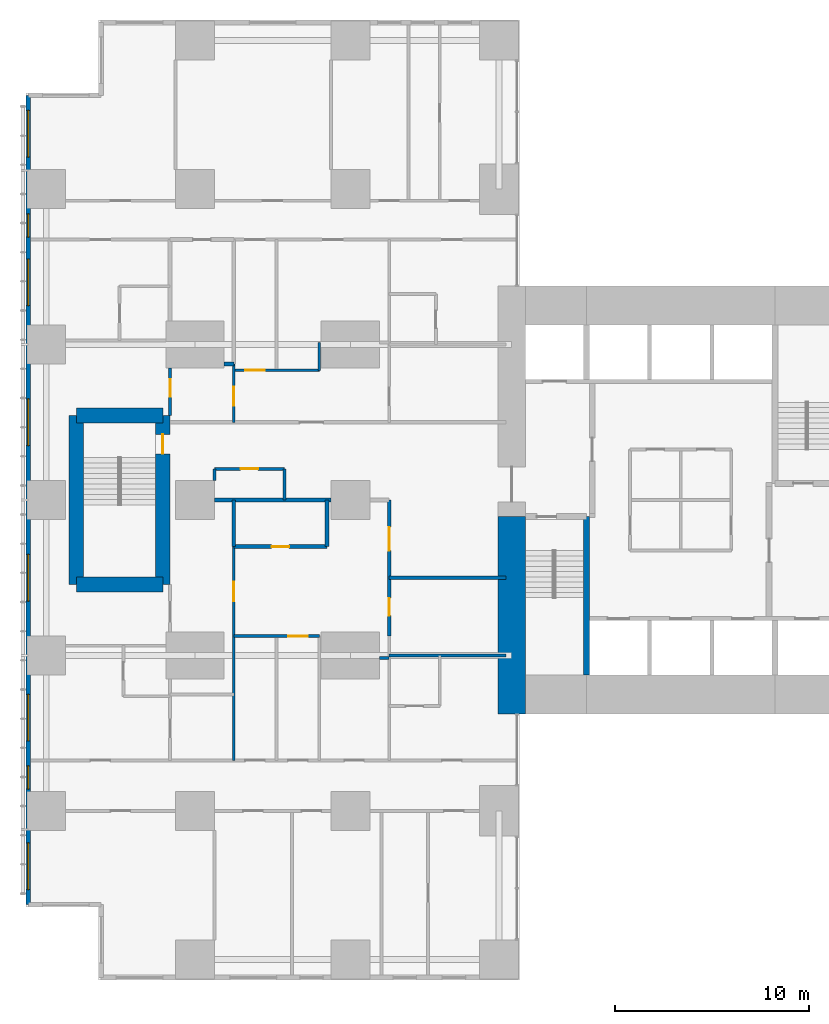
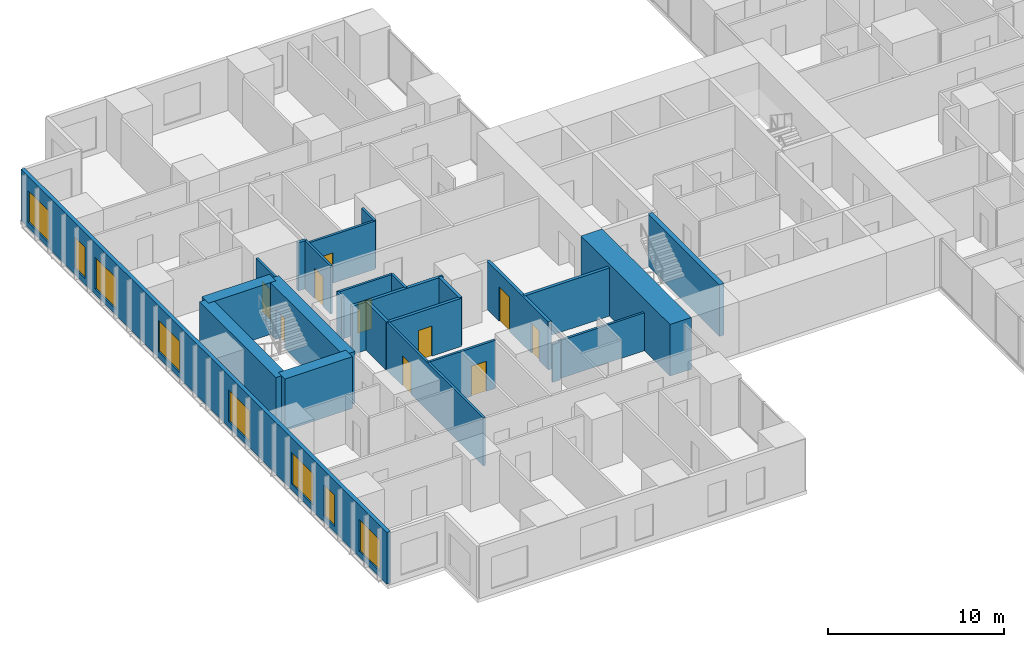
# One storey, part 13 of 20: 25 walls, 10 doors, 8 windows, 18 openings.
"""IFC4 building model written with IfcOpenShell, lengths in metres."""

from ifc_helpers import new_model, si_unit, direction, frame, frame_2d, origin, place, context, subcontext, project, spatial, rectangle, extrude, material, layer, layer_set, type_object, element, fill, save


model = new_model("IFC4")

# Units and contexts
model_context = context("Model", 3, precision=1e-05, world=origin(), true_north=direction((0.0, 1.0)))
body_context = subcontext(model_context, "Body", "Model", "MODEL_VIEW")
ifc_project = project(units=[si_unit("LENGTHUNIT", "METRE"), si_unit("AREAUNIT", "SQUARE_METRE"), si_unit("VOLUMEUNIT", "CUBIC_METRE"), si_unit("PLANEANGLEUNIT", "RADIAN"), si_unit("MASSUNIT", "GRAM", prefix="KILO")], contexts=[model_context])

# Site, building, storey
site_placement = place(None, origin())
site = spatial("IfcSite", under=ifc_project, at=site_placement, CompositionType="ELEMENT")
building_placement = place(site_placement, origin())
building = spatial("IfcBuilding", under=site, at=building_placement, Name="Cleftline Residences", CompositionType="ELEMENT")
storey_placement = place(building_placement, frame((0.0, 0.0, 139.39990234375)))
storey = spatial("IfcBuildingStorey", under=building, at=storey_placement, Name="L36", CompositionType="ELEMENT", Elevation=139.39990234375)

# Walls
ifc_material_1 = material(Name="Concrete B70", Category="concrete")
ifc_layer_1 = layer(ifc_material_1, 1.39990234375)
ifc_layer_set_1 = layer_set([ifc_layer_1], Name="CORE WALL 1400")
wall_type_1 = type_object("IfcWallType", Name="CORE WALL 1400", PredefinedType="SHEAR", material=ifc_layer_set_1)
wall_1_placement = place(storey_placement, frame((24.300048828125, 13.0, 0.0), z_axis=(0.0, 0.0, 1.0), x_axis=(0.0, 1.0, 0.0)))
element("IfcWall", 1, at=wall_1_placement, inside=storey, type_object=wall_type_1, Name="Core wall W0", PredefinedType="SHEAR", context=body_context, shape_type="SweptSolid", body=[
    extrude(rectangle(XDim=10.14990234375, YDim=1.39990234375, at=frame_2d((5.074951171875, 0.0))), origin(), (0.0, 0.0, 1.0), 3.60009765625),
])
ifc_material_2 = material(Name="Concrete B70", Category="concrete")
ifc_layer_2 = layer(ifc_material_2, 0.300048828125)
ifc_layer_set_2 = layer_set([ifc_layer_2], Name="CORE WALL 300")
wall_type_2 = type_object("IfcWallType", Name="CORE WALL 300", PredefinedType="SHEAR", material=ifc_layer_set_2)
wall_2_placement = place(storey_placement, frame((28.14990234375, 15.0, 0.0), z_axis=(0.0, 0.0, 1.0), x_axis=(0.0, 1.0, 0.0)))
element("IfcWall", 2, at=wall_2_placement, inside=storey, type_object=wall_type_2, Name="Core wall SA-E", PredefinedType="SHEAR", context=body_context, shape_type="SweptSolid", body=[
    extrude(rectangle(XDim=8.14990234375, YDim=0.300048828125, at=frame_2d((4.074951171875, 0.0))), origin(), (0.0, 0.0, 1.0), 3.60009765625),
])

# Wall, openings, windows
ifc_material_3 = material(Name="Rendered reinforced concrete blockwork", Category="masonry")
ifc_layer_3 = layer(ifc_material_3, 0.25)
ifc_layer_set_3 = layer_set([ifc_layer_3], Name="EXTERNAL WALL 250")
wall_type_3 = type_object("IfcWallType", Name="EXTERNAL WALL 250", PredefinedType="SOLIDWALL", material=ifc_layer_set_3)
wall_3_placement = place(storey_placement, frame((-0.574951171875, 44.824951171875, 0.0), z_axis=(0.0, 0.0, 1.0), x_axis=(0.0, -1.0, 0.0)))
wall_3 = element("IfcWall", 3, at=wall_3_placement, inside=storey, type_object=wall_type_3, Name="External wall", PredefinedType="SOLIDWALL", context=body_context, shape_type="SweptSolid", body=[
    extrude(rectangle(XDim=41.64990234375, YDim=0.25, at=frame_2d((20.824951171875, 0.0))), origin(), (0.0, 0.0, 1.0), 3.60009765625),
])
opening_1_placement = place(wall_3_placement, frame((0.77490234375, 0.0, 0.39990234375)))
opening_1 = element("IfcOpeningElement", 4, at=opening_1_placement, cuts=wall_3, Name="Opening W12", PredefinedType="OPENING", context=body_context, shape_type="SweptSolid", body=[
    extrude(rectangle(XDim=2.39990234375, YDim=2.199951171875, at=frame_2d((1.199951171875, 1.10009765625))), frame((0.0, 0.135009765625, 0.0), z_axis=(0.0, -1.0, 0.0), x_axis=(1.0, 0.0, 0.0)), (0.0, 0.0, 1.0), 0.27001953125),
])
opening_2_placement = place(wall_3_placement, frame((6.10009765625, 0.0, 0.39990234375)))
opening_2 = element("IfcOpeningElement", 5, at=opening_2_placement, cuts=wall_3, Name="Opening W11", PredefinedType="OPENING", context=body_context, shape_type="SweptSolid", body=[
    extrude(rectangle(XDim=1.199951171875, YDim=2.199951171875, at=frame_2d((0.60009765625, 1.10009765625))), frame((0.0, 0.135009765625, 0.0), z_axis=(0.0, -1.0, 0.0), x_axis=(1.0, 0.0, 0.0)), (0.0, 0.0, 1.0), 0.27001953125),
])
opening_3_placement = place(wall_3_placement, frame((8.425048828125, 0.0, 0.39990234375)))
opening_3 = element("IfcOpeningElement", 6, at=opening_3_placement, cuts=wall_3, Name="Opening W12", PredefinedType="OPENING", context=body_context, shape_type="SweptSolid", body=[
    extrude(rectangle(XDim=2.39990234375, YDim=2.199951171875, at=frame_2d((1.199951171875, 1.10009765625))), frame((0.0, 0.135009765625, 0.0), z_axis=(0.0, -1.0, 0.0), x_axis=(1.0, 0.0, 0.0)), (0.0, 0.0, 1.0), 0.27001953125),
])
opening_4_placement = place(wall_3_placement, frame((15.625, 0.0, 0.39990234375)))
opening_4 = element("IfcOpeningElement", 7, at=opening_4_placement, cuts=wall_3, Name="Opening W12", PredefinedType="OPENING", context=body_context, shape_type="SweptSolid", body=[
    extrude(rectangle(XDim=2.39990234375, YDim=2.199951171875, at=frame_2d((1.199951171875, 1.10009765625))), frame((0.0, 0.135009765625, 0.0), z_axis=(0.0, -1.0, 0.0), x_axis=(1.0, 0.0, 0.0)), (0.0, 0.0, 1.0), 0.27001953125),
])
opening_5_placement = place(wall_3_placement, frame((23.625, 0.0, 0.39990234375)))
opening_5 = element("IfcOpeningElement", 8, at=opening_5_placement, cuts=wall_3, Name="Opening W12", PredefinedType="OPENING", context=body_context, shape_type="SweptSolid", body=[
    extrude(rectangle(XDim=2.39990234375, YDim=2.199951171875, at=frame_2d((1.199951171875, 1.10009765625))), frame((0.0, 0.135009765625, 0.0), z_axis=(0.0, -1.0, 0.0), x_axis=(1.0, 0.0, 0.0)), (0.0, 0.0, 1.0), 0.27001953125),
])
opening_6_placement = place(wall_3_placement, frame((30.824951171875, 0.0, 0.39990234375)))
opening_6 = element("IfcOpeningElement", 9, at=opening_6_placement, cuts=wall_3, Name="Opening W12", PredefinedType="OPENING", context=body_context, shape_type="SweptSolid", body=[
    extrude(rectangle(XDim=2.39990234375, YDim=2.199951171875, at=frame_2d((1.199951171875, 1.10009765625))), frame((0.0, 0.135009765625, 0.0), z_axis=(0.0, -1.0, 0.0), x_axis=(1.0, 0.0, 0.0)), (0.0, 0.0, 1.0), 0.27001953125),
])
opening_7_placement = place(wall_3_placement, frame((34.5, 0.0, 0.39990234375)))
opening_7 = element("IfcOpeningElement", 10, at=opening_7_placement, cuts=wall_3, Name="Opening W11", PredefinedType="OPENING", context=body_context, shape_type="SweptSolid", body=[
    extrude(rectangle(XDim=1.199951171875, YDim=2.199951171875, at=frame_2d((0.60009765625, 1.10009765625))), frame((0.0, 0.135009765625, 0.0), z_axis=(0.0, -1.0, 0.0), x_axis=(1.0, 0.0, 0.0)), (0.0, 0.0, 1.0), 0.27001953125),
])
opening_8_placement = place(wall_3_placement, frame((38.47509765625, 0.0, 0.39990234375)))
opening_8 = element("IfcOpeningElement", 11, at=opening_8_placement, cuts=wall_3, Name="Opening W12", PredefinedType="OPENING", context=body_context, shape_type="SweptSolid", body=[
    extrude(rectangle(XDim=2.39990234375, YDim=2.199951171875, at=frame_2d((1.199951171875, 1.10009765625))), frame((0.0, 0.135009765625, 0.0), z_axis=(0.0, -1.0, 0.0), x_axis=(1.0, 0.0, 0.0)), (0.0, 0.0, 1.0), 0.27001953125),
])
ifc_material_4 = material(Name="Aluminium frame, clear double glazing", Category="aluminium")
window_type_1 = type_object("IfcWindowType", Name="WINDOW 1200X2200", PartitioningType="DOUBLE_PANEL_VERTICAL", PredefinedType="WINDOW", material=ifc_material_4)
window_1_placement = place(opening_2_placement, origin())
window_1 = element("IfcWindow", 12, at=window_1_placement, inside=storey, type_object=window_type_1, Name="Window", OverallHeight=2.199951171875, OverallWidth=1.199951171875, PartitioningType="SINGLE_PANEL", PredefinedType="WINDOW", context=body_context, shape_type="SweptSolid", body=[
    extrude(rectangle(XDim=1.199951171875, YDim=2.199951171875, at=frame_2d((0.60009765625, 1.10009765625))), frame((0.0, 0.030029296875, 0.0), z_axis=(0.0, -1.0, 0.0), x_axis=(1.0, 0.0, 0.0)), (0.0, 0.0, 1.0), 0.06005859375),
])
fill(opening_2, window_1)
window_2_placement = place(opening_7_placement, origin())
window_2 = element("IfcWindow", 13, at=window_2_placement, inside=storey, type_object=window_type_1, Name="Window", OverallHeight=2.199951171875, OverallWidth=1.199951171875, PartitioningType="SINGLE_PANEL", PredefinedType="WINDOW", context=body_context, shape_type="SweptSolid", body=[
    extrude(rectangle(XDim=1.199951171875, YDim=2.199951171875, at=frame_2d((0.60009765625, 1.10009765625))), frame((0.0, 0.030029296875, 0.0), z_axis=(0.0, -1.0, 0.0), x_axis=(1.0, 0.0, 0.0)), (0.0, 0.0, 1.0), 0.06005859375),
])
fill(opening_7, window_2)
ifc_material_5 = material(Name="Aluminium frame, clear double glazing", Category="aluminium")
window_type_2 = type_object("IfcWindowType", Name="WINDOW 2400X2200", PartitioningType="DOUBLE_PANEL_VERTICAL", PredefinedType="WINDOW", material=ifc_material_5)
window_3_placement = place(opening_1_placement, origin())
window_3 = element("IfcWindow", 14, at=window_3_placement, inside=storey, type_object=window_type_2, Name="Window", OverallHeight=2.199951171875, OverallWidth=2.39990234375, PartitioningType="SINGLE_PANEL", PredefinedType="WINDOW", context=body_context, shape_type="SweptSolid", body=[
    extrude(rectangle(XDim=2.39990234375, YDim=2.199951171875, at=frame_2d((1.199951171875, 1.10009765625))), frame((0.0, 0.030029296875, 0.0), z_axis=(0.0, -1.0, 0.0), x_axis=(1.0, 0.0, 0.0)), (0.0, 0.0, 1.0), 0.06005859375),
])
fill(opening_1, window_3)
window_4_placement = place(opening_3_placement, origin())
window_4 = element("IfcWindow", 15, at=window_4_placement, inside=storey, type_object=window_type_2, Name="Window", OverallHeight=2.199951171875, OverallWidth=2.39990234375, PartitioningType="SINGLE_PANEL", PredefinedType="WINDOW", context=body_context, shape_type="SweptSolid", body=[
    extrude(rectangle(XDim=2.39990234375, YDim=2.199951171875, at=frame_2d((1.199951171875, 1.10009765625))), frame((0.0, 0.030029296875, 0.0), z_axis=(0.0, -1.0, 0.0), x_axis=(1.0, 0.0, 0.0)), (0.0, 0.0, 1.0), 0.06005859375),
])
fill(opening_3, window_4)
window_5_placement = place(opening_4_placement, origin())
window_5 = element("IfcWindow", 16, at=window_5_placement, inside=storey, type_object=window_type_2, Name="Window", OverallHeight=2.199951171875, OverallWidth=2.39990234375, PartitioningType="SINGLE_PANEL", PredefinedType="WINDOW", context=body_context, shape_type="SweptSolid", body=[
    extrude(rectangle(XDim=2.39990234375, YDim=2.199951171875, at=frame_2d((1.199951171875, 1.10009765625))), frame((0.0, 0.030029296875, 0.0), z_axis=(0.0, -1.0, 0.0), x_axis=(1.0, 0.0, 0.0)), (0.0, 0.0, 1.0), 0.06005859375),
])
fill(opening_4, window_5)
window_6_placement = place(opening_5_placement, origin())
window_6 = element("IfcWindow", 17, at=window_6_placement, inside=storey, type_object=window_type_2, Name="Window", OverallHeight=2.199951171875, OverallWidth=2.39990234375, PartitioningType="SINGLE_PANEL", PredefinedType="WINDOW", context=body_context, shape_type="SweptSolid", body=[
    extrude(rectangle(XDim=2.39990234375, YDim=2.199951171875, at=frame_2d((1.199951171875, 1.10009765625))), frame((0.0, 0.030029296875, 0.0), z_axis=(0.0, -1.0, 0.0), x_axis=(1.0, 0.0, 0.0)), (0.0, 0.0, 1.0), 0.06005859375),
])
fill(opening_5, window_6)
window_7_placement = place(opening_6_placement, origin())
window_7 = element("IfcWindow", 18, at=window_7_placement, inside=storey, type_object=window_type_2, Name="Window", OverallHeight=2.199951171875, OverallWidth=2.39990234375, PartitioningType="SINGLE_PANEL", PredefinedType="WINDOW", context=body_context, shape_type="SweptSolid", body=[
    extrude(rectangle(XDim=2.39990234375, YDim=2.199951171875, at=frame_2d((1.199951171875, 1.10009765625))), frame((0.0, 0.030029296875, 0.0), z_axis=(0.0, -1.0, 0.0), x_axis=(1.0, 0.0, 0.0)), (0.0, 0.0, 1.0), 0.06005859375),
])
fill(opening_6, window_7)
window_8_placement = place(opening_8_placement, origin())
window_8 = element("IfcWindow", 19, at=window_8_placement, inside=storey, type_object=window_type_2, Name="Window", OverallHeight=2.199951171875, OverallWidth=2.39990234375, PartitioningType="SINGLE_PANEL", PredefinedType="WINDOW", context=body_context, shape_type="SweptSolid", body=[
    extrude(rectangle(XDim=2.39990234375, YDim=2.199951171875, at=frame_2d((1.199951171875, 1.10009765625))), frame((0.0, 0.030029296875, 0.0), z_axis=(0.0, -1.0, 0.0), x_axis=(1.0, 0.0, 0.0)), (0.0, 0.0, 1.0), 0.06005859375),
])
fill(opening_8, window_8)

# Wall
ifc_material_6 = material(Name="Concrete blockwork, fire rated", Category="masonry")
ifc_layer_4 = layer(ifc_material_6, 0.199951171875)
ifc_layer_set_4 = layer_set([ifc_layer_4], Name="FIRE WALL 200")
wall_type_4 = type_object("IfcWallType", Name="FIRE WALL 200", PredefinedType="PARTITIONING", material=ifc_layer_set_4)
wall_4_placement = place(storey_placement, frame((18.0, 20.0, 0.0), z_axis=(0.0, 0.0, 1.0), x_axis=(1.0, 0.0, 0.0)))
element("IfcWall", 20, at=wall_4_placement, inside=storey, type_object=wall_type_4, Name="Fire separating wall", PredefinedType="PARTITIONING", context=body_context, shape_type="SweptSolid", body=[
    extrude(rectangle(XDim=6.0, YDim=0.199951171875, at=frame_2d((3.0, 0.0))), origin(), (0.0, 0.0, 1.0), 3.35009765625),
])

# Wall, opening, door
wall_5_placement = place(storey_placement, frame((10.0, 21.60009765625, 0.0), z_axis=(0.0, 0.0, 1.0), x_axis=(1.0, 0.0, 0.0)))
wall_5 = element("IfcWall", 21, at=wall_5_placement, inside=storey, type_object=wall_type_4, Name="Fire separating wall", PredefinedType="PARTITIONING", context=body_context, shape_type="SweptSolid", body=[
    extrude(rectangle(XDim=4.800048828125, YDim=0.199951171875, at=frame_2d((2.39990234375, 0.0))), origin(), (0.0, 0.0, 1.0), 3.35009765625),
])
opening_9_placement = place(wall_5_placement, frame((1.949951171875, 0.0, 0.0)))
opening_9 = element("IfcOpeningElement", 22, at=opening_9_placement, cuts=wall_5, Name="Opening D1F30", PredefinedType="OPENING", context=body_context, shape_type="SweptSolid", body=[
    extrude(rectangle(XDim=0.89990234375, YDim=2.10009765625, at=frame_2d((0.449951171875, 1.050048828125))), frame((0.0, 0.10986328125, 0.0), z_axis=(0.0, -1.0, 0.0), x_axis=(1.0, 0.0, 0.0)), (0.0, 0.0, 1.0), 0.219970703125),
])
ifc_material_7 = material(Name="Timber veneer on solid core", Category="wood")
door_type_1 = type_object("IfcDoorType", Name="DOOR 900X2100 EI 30", OperationType="SINGLE_SWING_LEFT", PredefinedType="DOOR", material=ifc_material_7)
door_1_placement = place(opening_9_placement, origin())
door_1 = element("IfcDoor", 23, at=door_1_placement, inside=storey, type_object=door_type_1, Name="Door to cloakroom wc", OperationType="SINGLE_SWING_LEFT", OverallHeight=2.10009765625, OverallWidth=0.89990234375, PredefinedType="DOOR", context=body_context, shape_type="SweptSolid", body=[
    extrude(rectangle(XDim=0.89990234375, YDim=2.10009765625, at=frame_2d((0.449951171875, 1.050048828125))), frame((0.0, 0.02490234375, 0.0), z_axis=(0.0, -1.0, 0.0), x_axis=(1.0, 0.0, 0.0)), (0.0, 0.0, 1.0), 0.050048828125),
])
fill(opening_9, door_1)

# Walls
wall_6_placement = place(storey_placement, frame((9.0, 24.0, 0.0), z_axis=(0.0, 0.0, 1.0), x_axis=(1.0, 0.0, 0.0)))
element("IfcWall", 24, at=wall_6_placement, inside=storey, type_object=wall_type_4, Name="Fire separating wall", PredefinedType="PARTITIONING", context=body_context, shape_type="SweptSolid", body=[
    extrude(rectangle(XDim=6.0, YDim=0.199951171875, at=frame_2d((3.0, 0.0))), origin(), (0.0, 0.0, 1.0), 3.35009765625),
])
wall_7_placement = place(storey_placement, frame((9.5, 31.0, 0.0), z_axis=(0.0, 0.0, 1.0), x_axis=(1.0, 0.0, 0.0)))
element("IfcWall", 25, at=wall_7_placement, inside=storey, type_object=wall_type_4, Name="Fire separating wall", PredefinedType="PARTITIONING", context=body_context, shape_type="SweptSolid", body=[
    extrude(rectangle(XDim=0.5, YDim=0.199951171875, at=frame_2d((0.25, 0.0))), origin(), (0.0, 0.0, 1.0), 3.35009765625),
])
for number, where, z_axis, x_axis, name in (
    (26, (10.0, 21.60009765625, 0.0), (0.0, 0.0, 1.0), (0.0, 1.0, 0.0), "Fire separating wall"),
    (27, (14.800048828125, 21.60009765625, 0.0), (0.0, 0.0, 1.0), (0.0, 1.0, 0.0), "Fire separating wall"),
):
    element("IfcWall", number, at=place(storey_placement, frame(where, z_axis=z_axis, x_axis=x_axis)), inside=storey, type_object=wall_type_4, Name=name, PredefinedType="PARTITIONING", context=body_context, shape_type="SweptSolid", body=[
        extrude(rectangle(XDim=2.39990234375, YDim=0.199951171875, at=frame_2d((1.199951171875, 0.0))), origin(), (0.0, 0.0, 1.0), 3.35009765625),
    ])

# Wall, openings, doors
wall_8_placement = place(storey_placement, frame((18.0, 17.0, 0.0), z_axis=(0.0, 0.0, 1.0), x_axis=(0.0, 1.0, 0.0)))
wall_8 = element("IfcWall", 28, at=wall_8_placement, inside=storey, type_object=wall_type_4, Name="Fire separating wall", PredefinedType="PARTITIONING", context=body_context, shape_type="SweptSolid", body=[
    extrude(rectangle(XDim=7.0, YDim=0.199951171875, at=frame_2d((3.5, 0.0))), origin(), (0.0, 0.0, 1.0), 3.35009765625),
])
opening_10_placement = place(wall_8_placement, frame((4.39990234375, 0.0, 0.0)))
opening_10 = element("IfcOpeningElement", 29, at=opening_10_placement, cuts=wall_8, Name="Opening D4", PredefinedType="OPENING", context=body_context, shape_type="SweptSolid", body=[
    extrude(rectangle(XDim=1.199951171875, YDim=2.39990234375, at=frame_2d((0.60009765625, 1.199951171875))), frame((0.0, 0.10986328125, 0.0), z_axis=(0.0, -1.0, 0.0), x_axis=(1.0, 0.0, 0.0)), (0.0, 0.0, 1.0), 0.219970703125),
])
opening_11_placement = place(wall_8_placement, frame((1.050048828125, 0.0, 0.0)))
opening_11 = element("IfcOpeningElement", 30, at=opening_11_placement, cuts=wall_8, Name="Opening D1F30", PredefinedType="OPENING", context=body_context, shape_type="SweptSolid", body=[
    extrude(rectangle(XDim=0.89990234375, YDim=2.10009765625, at=frame_2d((0.449951171875, 1.050048828125))), frame((0.0, 0.10986328125, 0.0), z_axis=(0.0, -1.0, 0.0), x_axis=(1.0, 0.0, 0.0)), (0.0, 0.0, 1.0), 0.219970703125),
])
ifc_material_8 = material(Name="Timber veneer on solid core", Category="wood")
door_type_2 = type_object("IfcDoorType", Name="APARTMENT ENTRANCE DOOR 1200X2400", OperationType="SINGLE_SWING_RIGHT", PredefinedType="DOOR", material=ifc_material_8)
door_2_placement = place(opening_10_placement, origin())
door_2 = element("IfcDoor", 31, at=door_2_placement, inside=storey, type_object=door_type_2, Name="Door to residence entrance foyer", OperationType="SINGLE_SWING_LEFT", OverallHeight=2.39990234375, OverallWidth=1.199951171875, PredefinedType="DOOR", context=body_context, shape_type="SweptSolid", body=[
    extrude(rectangle(XDim=1.199951171875, YDim=2.39990234375, at=frame_2d((0.60009765625, 1.199951171875))), frame((0.0, 0.02490234375, 0.0), z_axis=(0.0, -1.0, 0.0), x_axis=(1.0, 0.0, 0.0)), (0.0, 0.0, 1.0), 0.050048828125),
])
fill(opening_10, door_2)
door_3_placement = place(opening_11_placement, origin())
door_3 = element("IfcDoor", 32, at=door_3_placement, inside=storey, type_object=door_type_1, Name="Door to utility room", OperationType="SINGLE_SWING_RIGHT", OverallHeight=2.10009765625, OverallWidth=0.89990234375, PredefinedType="DOOR", context=body_context, shape_type="SweptSolid", body=[
    extrude(rectangle(XDim=0.89990234375, YDim=2.10009765625, at=frame_2d((0.449951171875, 1.050048828125))), frame((0.0, 0.02490234375, 0.0), z_axis=(0.0, -1.0, 0.0), x_axis=(1.0, 0.0, 0.0)), (0.0, 0.0, 1.0), 0.050048828125),
])
fill(opening_11, door_3)

# Walls
ifc_material_9 = material(Name="Gypsum board on steel studs", Category="steel")
ifc_layer_5 = layer(ifc_material_9, 0.14990234375)
ifc_layer_set_5 = layer_set([ifc_layer_5], Name="PARTITION 150")
wall_type_5 = type_object("IfcWallType", Name="PARTITION 150", PredefinedType="PARTITIONING", material=ifc_layer_set_5)
wall_9_placement = place(storey_placement, frame((17.5, 15.875, 0.0), z_axis=(0.0, 0.0, 1.0), x_axis=(1.0, 0.0, 0.0)))
element("IfcWall", 33, at=wall_9_placement, inside=storey, type_object=wall_type_5, Name="Partition", PredefinedType="PARTITIONING", context=body_context, shape_type="SweptSolid", body=[
    extrude(rectangle(XDim=0.5, YDim=0.14990234375, at=frame_2d((0.25, 0.0))), origin(), (0.0, 0.0, 1.0), 2.634033203125),
])
wall_10_placement = place(storey_placement, frame((18.0, 16.0, 0.0), z_axis=(0.0, 0.0, 1.0), x_axis=(1.0, 0.0, 0.0)))
element("IfcWall", 34, at=wall_10_placement, inside=storey, type_object=wall_type_5, Name="Partition", PredefinedType="PARTITIONING", context=body_context, shape_type="SweptSolid", body=[
    extrude(rectangle(XDim=6.0, YDim=0.14990234375, at=frame_2d((3.0, 0.0))), origin(), (0.0, 0.0, 1.0), 2.634033203125),
])

# Wall, opening, door
wall_11_placement = place(storey_placement, frame((10.0, 17.0, 0.0), z_axis=(0.0, 0.0, 1.0), x_axis=(1.0, 0.0, 0.0)))
wall_11 = element("IfcWall", 35, at=wall_11_placement, inside=storey, type_object=wall_type_5, Name="Partition", PredefinedType="PARTITIONING", context=body_context, shape_type="SweptSolid", body=[
    extrude(rectangle(XDim=4.39990234375, YDim=0.14990234375, at=frame_2d((2.199951171875, 0.0))), origin(), (0.0, 0.0, 1.0), 3.35009765625),
])
opening_12_placement = place(wall_11_placement, frame((2.800048828125, 0.0, 0.0)))
opening_12 = element("IfcOpeningElement", 36, at=opening_12_placement, cuts=wall_11, Name="Opening D2", PredefinedType="OPENING", context=body_context, shape_type="SweptSolid", body=[
    extrude(rectangle(XDim=1.0, YDim=2.10009765625, at=frame_2d((0.5, 1.050048828125))), frame((0.0, 0.0849609375, 0.0), z_axis=(0.0, -1.0, 0.0), x_axis=(1.0, 0.0, 0.0)), (0.0, 0.0, 1.0), 0.169921875),
])
ifc_material_10 = material(Name="Timber veneer on solid core", Category="wood")
door_type_3 = type_object("IfcDoorType", Name="DOOR 1000X2100", OperationType="SINGLE_SWING_LEFT", PredefinedType="DOOR", material=ifc_material_10)
door_4_placement = place(opening_12_placement, origin())
door_4 = element("IfcDoor", 37, at=door_4_placement, inside=storey, type_object=door_type_3, Name="Door to residence passage", OperationType="SINGLE_SWING_LEFT", OverallHeight=2.10009765625, OverallWidth=1.0, PredefinedType="DOOR", context=body_context, shape_type="SweptSolid", body=[
    extrude(rectangle(XDim=1.0, YDim=2.10009765625, at=frame_2d((0.5, 1.050048828125))), frame((0.0, 0.02490234375, 0.0), z_axis=(0.0, -1.0, 0.0), x_axis=(1.0, 0.0, 0.0)), (0.0, 0.0, 1.0), 0.050048828125),
])
fill(opening_12, door_4)

wall_12_placement = place(storey_placement, frame((9.0, 25.60009765625, 0.0), z_axis=(0.0, 0.0, 1.0), x_axis=(1.0, 0.0, 0.0)))
wall_12 = element("IfcWall", 38, at=wall_12_placement, inside=storey, type_object=wall_type_5, Name="Partition", PredefinedType="PARTITIONING", context=body_context, shape_type="SweptSolid", body=[
    extrude(rectangle(XDim=3.60009765625, YDim=0.14990234375, at=frame_2d((1.800048828125, 0.0))), origin(), (0.0, 0.0, 1.0), 3.35009765625),
])
opening_13_placement = place(wall_12_placement, frame((1.35009765625, 0.0, 0.0)))
opening_13 = element("IfcOpeningElement", 39, at=opening_13_placement, cuts=wall_12, Name="Opening D1", PredefinedType="OPENING", context=body_context, shape_type="SweptSolid", body=[
    extrude(rectangle(XDim=0.89990234375, YDim=2.10009765625, at=frame_2d((0.449951171875, 1.050048828125))), frame((0.0, 0.0849609375, 0.0), z_axis=(0.0, -1.0, 0.0), x_axis=(1.0, 0.0, 0.0)), (0.0, 0.0, 1.0), 0.169921875),
])
ifc_material_11 = material(Name="Timber veneer on solid core", Category="wood")
door_type_4 = type_object("IfcDoorType", Name="DOOR 900X2100", OperationType="SINGLE_SWING_LEFT", PredefinedType="DOOR", material=ifc_material_11)
door_5_placement = place(opening_13_placement, origin())
door_5 = element("IfcDoor", 40, at=door_5_placement, inside=storey, type_object=door_type_4, Name="Door to residents' storage room", OperationType="SINGLE_SWING_LEFT", OverallHeight=2.10009765625, OverallWidth=0.89990234375, PredefinedType="DOOR", context=body_context, shape_type="SweptSolid", body=[
    extrude(rectangle(XDim=0.89990234375, YDim=2.10009765625, at=frame_2d((0.449951171875, 1.050048828125))), frame((0.0, 0.02490234375, 0.0), z_axis=(0.0, -1.0, 0.0), x_axis=(1.0, 0.0, 0.0)), (0.0, 0.0, 1.0), 0.050048828125),
])
fill(opening_13, door_5)

wall_13_placement = place(storey_placement, frame((10.0, 30.675048828125, 0.0), z_axis=(0.0, 0.0, 1.0), x_axis=(1.0, 0.0, 0.0)))
wall_13 = element("IfcWall", 41, at=wall_13_placement, inside=storey, type_object=wall_type_5, Name="Partition", PredefinedType="PARTITIONING", context=body_context, shape_type="SweptSolid", body=[
    extrude(rectangle(XDim=4.39990234375, YDim=0.14990234375, at=frame_2d((2.199951171875, 0.0))), origin(), (0.0, 0.0, 1.0), 3.35009765625),
])
opening_14_placement = place(wall_13_placement, frame((0.60009765625, 0.0, 0.0)))
opening_14 = element("IfcOpeningElement", 42, at=opening_14_placement, cuts=wall_13, Name="Opening D2", PredefinedType="OPENING", context=body_context, shape_type="SweptSolid", body=[
    extrude(rectangle(XDim=1.0, YDim=2.10009765625, at=frame_2d((0.5, 1.050048828125))), frame((0.0, 0.0849609375, 0.0), z_axis=(0.0, -1.0, 0.0), x_axis=(1.0, 0.0, 0.0)), (0.0, 0.0, 1.0), 0.169921875),
])
door_6_placement = place(opening_14_placement, origin())
door_6 = element("IfcDoor", 43, at=door_6_placement, inside=storey, type_object=door_type_3, Name="Door to residence passage", OperationType="SINGLE_SWING_RIGHT", OverallHeight=2.10009765625, OverallWidth=1.0, PredefinedType="DOOR", context=body_context, shape_type="SweptSolid", body=[
    extrude(rectangle(XDim=1.0, YDim=2.10009765625, at=frame_2d((0.5, 1.050048828125))), frame((0.0, 0.02490234375, 0.0), z_axis=(0.0, -1.0, 0.0), x_axis=(1.0, 0.0, 0.0)), (0.0, 0.0, 1.0), 0.050048828125),
])
fill(opening_14, door_6)

wall_14_placement = place(storey_placement, frame((6.72509765625, 28.35009765625, 0.0), z_axis=(0.0, 0.0, 1.0), x_axis=(0.0, 1.0, 0.0)))
wall_14 = element("IfcWall", 44, at=wall_14_placement, inside=storey, type_object=wall_type_5, Name="Partition", PredefinedType="PARTITIONING", context=body_context, shape_type="SweptSolid", body=[
    extrude(rectangle(XDim=2.449951171875, YDim=0.14990234375, at=frame_2d((1.22509765625, 0.0))), origin(), (0.0, 0.0, 1.0), 3.35009765625),
])
opening_15_placement = place(wall_14_placement, frame((0.96240234375, 0.0, 0.0)))
opening_15 = element("IfcOpeningElement", 45, at=opening_15_placement, cuts=wall_14, Name="Opening D1", PredefinedType="OPENING", context=body_context, shape_type="SweptSolid", body=[
    extrude(rectangle(XDim=0.89990234375, YDim=2.10009765625, at=frame_2d((0.449951171875, 1.050048828125))), frame((0.0, 0.0849609375, 0.0), z_axis=(0.0, -1.0, 0.0), x_axis=(1.0, 0.0, 0.0)), (0.0, 0.0, 1.0), 0.169921875),
])
door_7_placement = place(opening_15_placement, origin())
door_7 = element("IfcDoor", 46, at=door_7_placement, inside=storey, type_object=door_type_4, Name="Door to drying loggia", OperationType="SINGLE_SWING_LEFT", OverallHeight=2.10009765625, OverallWidth=0.89990234375, PredefinedType="DOOR", context=body_context, shape_type="SweptSolid", body=[
    extrude(rectangle(XDim=0.89990234375, YDim=2.10009765625, at=frame_2d((0.449951171875, 1.050048828125))), frame((0.0, 0.02490234375, 0.0), z_axis=(0.0, -1.0, 0.0), x_axis=(1.0, 0.0, 0.0)), (0.0, 0.0, 1.0), 0.050048828125),
])
fill(opening_15, door_7)

# Wall
wall_15_placement = place(storey_placement, frame((9.0, 25.0, 0.0), z_axis=(0.0, 0.0, 1.0), x_axis=(0.0, 1.0, 0.0)))
element("IfcWall", 47, at=wall_15_placement, inside=storey, type_object=wall_type_5, Name="Partition", PredefinedType="PARTITIONING", context=body_context, shape_type="SweptSolid", body=[
    extrude(rectangle(XDim=0.60009765625, YDim=0.14990234375, at=frame_2d((0.300048828125, 0.0))), origin(), (0.0, 0.0, 1.0), 3.35009765625),
])

# Wall, opening, door
wall_16_placement = place(storey_placement, frame((10.0, 10.60009765625, 0.0), z_axis=(0.0, 0.0, 1.0), x_axis=(0.0, 1.0, 0.0)))
wall_16 = element("IfcWall", 48, at=wall_16_placement, inside=storey, type_object=wall_type_5, Name="Partition", PredefinedType="PARTITIONING", context=body_context, shape_type="SweptSolid", body=[
    extrude(rectangle(XDim=11.0, YDim=0.14990234375, at=frame_2d((5.5, 0.0))), origin(), (0.0, 0.0, 1.0), 3.35009765625),
])
opening_16_placement = place(wall_16_placement, frame((8.199951171875, 0.0, 0.0)))
opening_16 = element("IfcOpeningElement", 49, at=opening_16_placement, cuts=wall_16, Name="Opening D2F30", PredefinedType="OPENING", context=body_context, shape_type="SweptSolid", body=[
    extrude(rectangle(XDim=1.0, YDim=2.10009765625, at=frame_2d((0.5, 1.050048828125))), frame((0.0, 0.0849609375, 0.0), z_axis=(0.0, -1.0, 0.0), x_axis=(1.0, 0.0, 0.0)), (0.0, 0.0, 1.0), 0.169921875),
])
ifc_material_12 = material(Name="Timber veneer on solid core", Category="wood")
door_type_5 = type_object("IfcDoorType", Name="DOOR 1000X2100 EI 30", OperationType="SINGLE_SWING_LEFT", PredefinedType="DOOR", material=ifc_material_12)
door_8_placement = place(opening_16_placement, origin())
door_8 = element("IfcDoor", 50, at=door_8_placement, inside=storey, type_object=door_type_5, Name="Door to residence lobby", OperationType="SINGLE_SWING_LEFT", OverallHeight=2.10009765625, OverallWidth=1.0, PredefinedType="DOOR", context=body_context, shape_type="SweptSolid", body=[
    extrude(rectangle(XDim=1.0, YDim=2.10009765625, at=frame_2d((0.5, 1.050048828125))), frame((0.0, 0.02490234375, 0.0), z_axis=(0.0, -1.0, 0.0), x_axis=(1.0, 0.0, 0.0)), (0.0, 0.0, 1.0), 0.050048828125),
])
fill(opening_16, door_8)

wall_17_placement = place(storey_placement, frame((10.0, 28.0, 0.0), z_axis=(0.0, 0.0, 1.0), x_axis=(0.0, 1.0, 0.0)))
wall_17 = element("IfcWall", 51, at=wall_17_placement, inside=storey, type_object=wall_type_5, Name="Partition", PredefinedType="PARTITIONING", context=body_context, shape_type="SweptSolid", body=[
    extrude(rectangle(XDim=3.0, YDim=0.14990234375, at=frame_2d((1.5, 0.0))), origin(), (0.0, 0.0, 1.0), 3.35009765625),
])
opening_17_placement = place(wall_17_placement, frame((0.83740234375, 0.0, 0.0)))
opening_17 = element("IfcOpeningElement", 52, at=opening_17_placement, cuts=wall_17, Name="Opening D2F30", PredefinedType="OPENING", context=body_context, shape_type="SweptSolid", body=[
    extrude(rectangle(XDim=1.0, YDim=2.10009765625, at=frame_2d((0.5, 1.050048828125))), frame((0.0, 0.0849609375, 0.0), z_axis=(0.0, -1.0, 0.0), x_axis=(1.0, 0.0, 0.0)), (0.0, 0.0, 1.0), 0.169921875),
])
door_9_placement = place(opening_17_placement, origin())
door_9 = element("IfcDoor", 53, at=door_9_placement, inside=storey, type_object=door_type_5, Name="Door to residence lobby", OperationType="SINGLE_SWING_RIGHT", OverallHeight=2.10009765625, OverallWidth=1.0, PredefinedType="DOOR", context=body_context, shape_type="SweptSolid", body=[
    extrude(rectangle(XDim=1.0, YDim=2.10009765625, at=frame_2d((0.5, 1.050048828125))), frame((0.0, 0.02490234375, 0.0), z_axis=(0.0, -1.0, 0.0), x_axis=(1.0, 0.0, 0.0)), (0.0, 0.0, 1.0), 0.050048828125),
])
fill(opening_17, door_9)

# Walls
wall_18_placement = place(storey_placement, frame((12.60009765625, 24.0, 0.0), z_axis=(0.0, 0.0, 1.0), x_axis=(0.0, 1.0, 0.0)))
element("IfcWall", 54, at=wall_18_placement, inside=storey, type_object=wall_type_5, Name="Partition", PredefinedType="PARTITIONING", context=body_context, shape_type="SweptSolid", body=[
    extrude(rectangle(XDim=1.60009765625, YDim=0.14990234375, at=frame_2d((0.800048828125, 0.0))), origin(), (0.0, 0.0, 1.0), 3.35009765625),
])
wall_19_placement = place(storey_placement, frame((14.39990234375, 30.675048828125, 0.0), z_axis=(0.0, 0.0, 1.0), x_axis=(0.0, 1.0, 0.0)))
element("IfcWall", 55, at=wall_19_placement, inside=storey, type_object=wall_type_5, Name="Partition", PredefinedType="PARTITIONING", context=body_context, shape_type="SweptSolid", body=[
    extrude(rectangle(XDim=1.425048828125, YDim=0.14990234375, at=frame_2d((0.71240234375, 0.0))), origin(), (0.0, 0.0, 1.0), 3.35009765625),
])
ifc_material_13 = material(Name="Concrete B70", Category="concrete")
ifc_layer_6 = layer(ifc_material_13, 0.75)
ifc_layer_set_6 = layer_set([ifc_layer_6], Name="SHEAR WALL 750")
wall_type_6 = type_object("IfcWallType", Name="SHEAR WALL 750", PredefinedType="SHEAR", material=ifc_layer_set_6)
wall_20_placement = place(storey_placement, frame((1.89990234375, 19.64990234375, 0.0), z_axis=(0.0, 0.0, 1.0), x_axis=(1.0, 0.0, 0.0)))
element("IfcWall", 56, at=wall_20_placement, inside=storey, type_object=wall_type_6, Name="Wing shear wall", PredefinedType="SHEAR", context=body_context, shape_type="SweptSolid", body=[
    extrude(rectangle(XDim=4.4501953125, YDim=0.75, at=frame_2d((2.22509765625, 0.0))), origin(), (0.0, 0.0, 1.0), 3.60009765625),
])

# Wall, opening, door
wall_21_placement = place(storey_placement, frame((6.35009765625, 19.64990234375, 0.0), z_axis=(0.0, 0.0, 1.0), x_axis=(0.0, 1.0, 0.0)))
wall_21 = element("IfcWall", 57, at=wall_21_placement, inside=storey, type_object=wall_type_6, Name="Wing shear wall", PredefinedType="SHEAR", context=body_context, shape_type="SweptSolid", body=[
    extrude(rectangle(XDim=8.7001953125, YDim=0.75, at=frame_2d((4.35009765625, 0.0))), origin(), (0.0, 0.0, 1.0), 3.60009765625),
])
opening_18_placement = place(wall_21_placement, frame((6.72509765625, 0.0, 0.0)))
opening_18 = element("IfcOpeningElement", 58, at=opening_18_placement, cuts=wall_21, Name="Opening D5", PredefinedType="OPENING", context=body_context, shape_type="SweptSolid", body=[
    extrude(rectangle(XDim=1.0, YDim=2.10009765625, at=frame_2d((0.5, 1.050048828125))), frame((0.0, 0.385009765625, 0.0), z_axis=(0.0, -1.0, 0.0), x_axis=(1.0, 0.0, 0.0)), (0.0, 0.0, 1.0), 0.77001953125),
])
ifc_material_14 = material(Name="Steel", Category="steel")
door_type_6 = type_object("IfcDoorType", Name="STAIR DOOR 1000X2100", OperationType="SINGLE_SWING_LEFT", PredefinedType="DOOR", material=ifc_material_14)
door_10_placement = place(opening_18_placement, origin())
door_10 = element("IfcDoor", 59, at=door_10_placement, inside=storey, type_object=door_type_6, Name="Stair W door", OperationType="SINGLE_SWING_LEFT", OverallHeight=2.10009765625, OverallWidth=1.0, PredefinedType="DOOR", context=body_context, shape_type="SweptSolid", body=[
    extrude(rectangle(XDim=1.0, YDim=2.10009765625, at=frame_2d((0.5, 1.050048828125))), frame((0.0, 0.02490234375, 0.0), z_axis=(0.0, -1.0, 0.0), x_axis=(1.0, 0.0, 0.0)), (0.0, 0.0, 1.0), 0.050048828125),
])
fill(opening_18, door_10)

# Walls
wall_22_placement = place(storey_placement, frame((6.35009765625, 28.35009765625, 0.0), z_axis=(0.0, 0.0, 1.0), x_axis=(-1.0, 0.0, 0.0)))
element("IfcWall", 60, at=wall_22_placement, inside=storey, type_object=wall_type_6, Name="Wing shear wall", PredefinedType="SHEAR", context=body_context, shape_type="SweptSolid", body=[
    extrude(rectangle(XDim=4.4501953125, YDim=0.75, at=frame_2d((2.22509765625, 0.0))), origin(), (0.0, 0.0, 1.0), 3.60009765625),
])
wall_23_placement = place(storey_placement, frame((1.89990234375, 28.35009765625, 0.0), z_axis=(0.0, 0.0, 1.0), x_axis=(0.0, -1.0, 0.0)))
element("IfcWall", 61, at=wall_23_placement, inside=storey, type_object=wall_type_6, Name="Wing shear wall", PredefinedType="SHEAR", context=body_context, shape_type="SweptSolid", body=[
    extrude(rectangle(XDim=8.7001953125, YDim=0.75, at=frame_2d((4.35009765625, 0.0))), origin(), (0.0, 0.0, 1.0), 3.60009765625),
])

save(model, "model.ifc")
